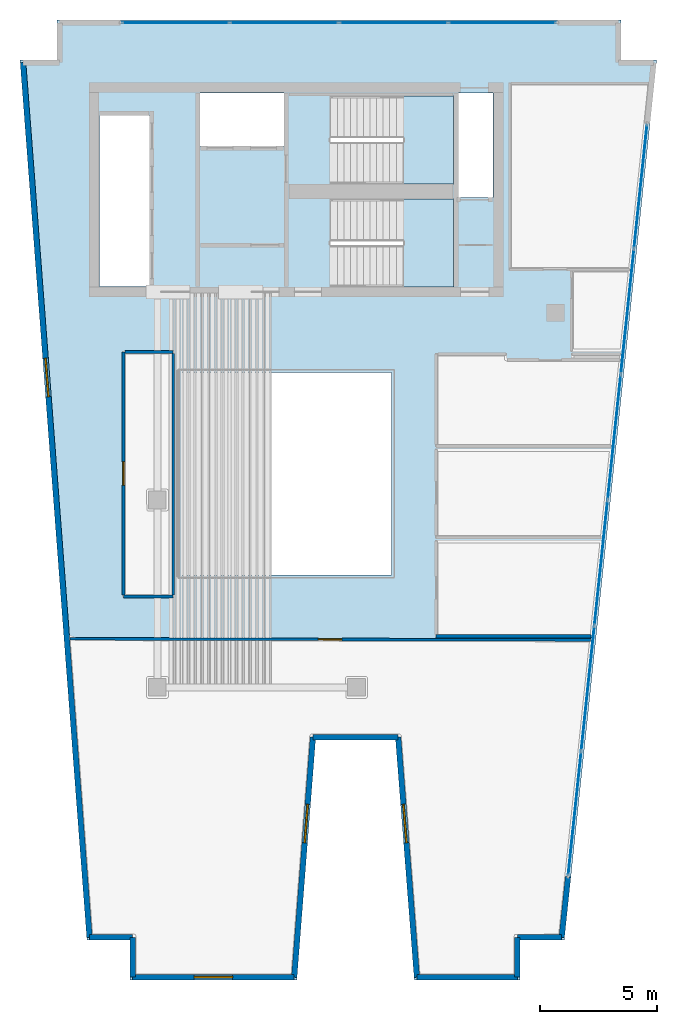
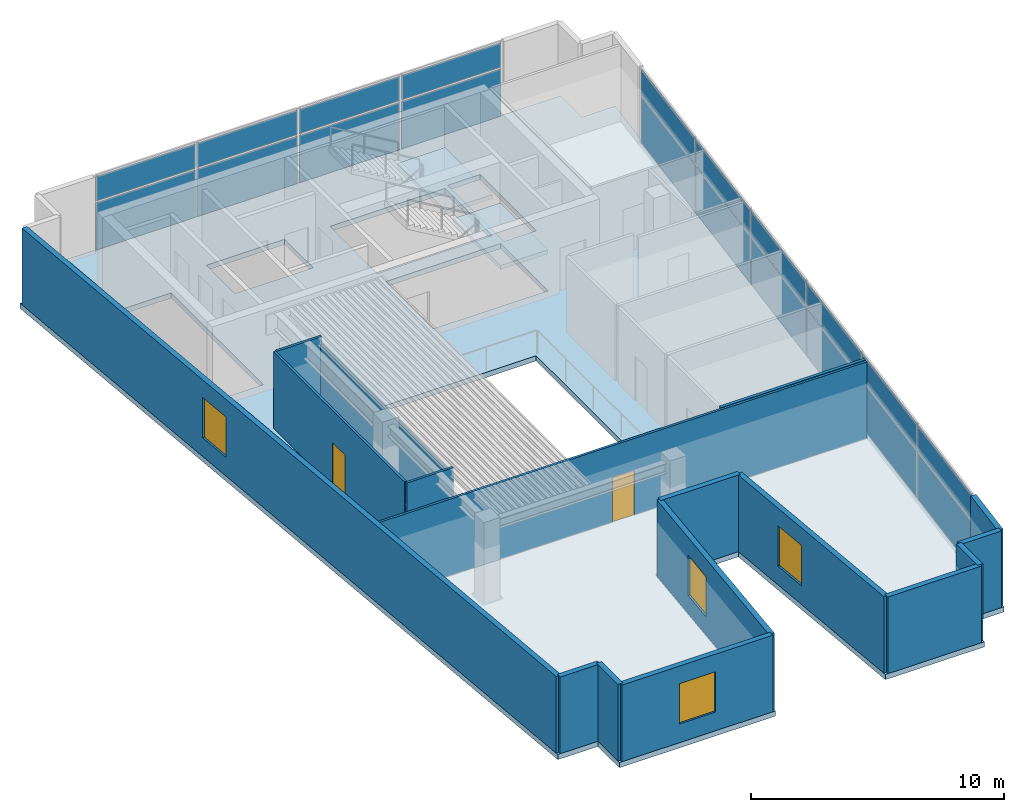
# One storey, part 2 of 6: 20 plates, 17 walls, 4 windows, 3 slabs, 2 doors, 6 openings, 4 elements without a shape of their own.
"""IFC4 building model written with IfcOpenShell, lengths in metres."""

from ifc_helpers import new_model, si_unit, direction, frame, frame_2d, origin, origin_2d, place, context, subcontext, project, spatial, polyline, rectangle, outline, extrude, material, layer, layer_set, type_object, element, fill, aggregate, save


model = new_model("IFC4")

# Units and contexts
model_context = context("Model", 3, precision=1e-05, world=origin(), true_north=direction((0.0, 1.0)))
body_context = subcontext(model_context, "Body", "Model", "MODEL_VIEW")
ifc_project = project(units=[si_unit("LENGTHUNIT", "METRE"), si_unit("AREAUNIT", "SQUARE_METRE"), si_unit("VOLUMEUNIT", "CUBIC_METRE"), si_unit("PLANEANGLEUNIT", "RADIAN"), si_unit("MASSUNIT", "GRAM", prefix="KILO")], contexts=[model_context])

# Site, building, storey
site_placement = place(None, origin())
site = spatial("IfcSite", under=ifc_project, at=site_placement, CompositionType="ELEMENT")
building_placement = place(site_placement, origin())
building = spatial("IfcBuilding", under=site, at=building_placement, Name="Caeloran Harvest Quay", CompositionType="ELEMENT")
storey_placement = place(building_placement, frame((0.0, 0.0, 296.199951171875)))
storey = spatial("IfcBuildingStorey", under=building, at=storey_placement, Name="L71", CompositionType="ELEMENT", Elevation=296.199951171875)

# Curtain wall, plates
ifc_material_1 = material(Name="Aluminium 6063-T6 and Low-E Glazing", Category="aluminium")
ifc_layer_1 = layer(ifc_material_1, 0.219970703125, Name="Aluminium 6063-T6 and Low-E Glazing")
ifc_layer_set_1 = layer_set([ifc_layer_1], Name="Aluminium 6063-T6 and Low-E Glazing")
curtain_wall_type = type_object("IfcCurtainWallType", Name="CW-SYS-CW-5", PredefinedType="USERDEFINED", material=ifc_layer_set_1)
curtain_wall_1_placement = place(storey_placement, origin())
curtain_wall_1 = element("IfcCurtainWall", 1, at=curtain_wall_1_placement, inside=storey, type_object=curtain_wall_type, Name="L71 Unitised Curtain Wall CW-5 Run 6", ObjectType="CURTAIN_WALL", PredefinedType="USERDEFINED")
ifc_material_2 = material(Name="Low-E Double Glazed Vision Glass Unit", Category="glass")
ifc_layer_2 = layer(ifc_material_2, 0.035888671875, Name="Low-E Double Glazed Vision Glass Unit")
ifc_layer_set_2 = layer_set([ifc_layer_2], Name="Low-E Double Glazed Vision Glass Unit")
plate_type = type_object("IfcPlateType", Name="CW-VISION-PANEL", PredefinedType="CURTAIN_PANEL", material=ifc_layer_set_2)
plate_1_placement = place(storey_placement, frame((9.2724609375, 43.3798828125, 0.080078125), z_axis=(0.0, 0.0, 1.0), x_axis=(1.0, 0.0, 0.0)))
plate_1 = element("IfcPlate", 2, at=plate_1_placement, type_object=plate_type, Name="CW-5 panel 1.1", PredefinedType="CURTAIN_PANEL", context=body_context, shape_type="SweptSolid", body=[
    extrude(rectangle(XDim=4.544921875, YDim=0.035888671875, at=origin_2d()), origin(), (0.0, 0.0, 1.0), 2.280029296875),
])
plate_2_placement = place(storey_placement, frame((9.2724609375, 43.3798828125, 2.43994140625), z_axis=(0.0, 0.0, 1.0), x_axis=(1.0, 0.0, 0.0)))
plate_2 = element("IfcPlate", 3, at=plate_2_placement, type_object=plate_type, Name="CW-5 panel 1.2", PredefinedType="CURTAIN_PANEL", context=body_context, shape_type="SweptSolid", body=[
    extrude(rectangle(XDim=4.544921875, YDim=0.035888671875, at=origin_2d()), origin(), (0.0, 0.0, 1.0), 1.179931640625),
])
plate_3_placement = place(storey_placement, frame((13.91748046875, 43.3798828125, 0.080078125), z_axis=(0.0, 0.0, 1.0), x_axis=(1.0, 0.0, 0.0)))
plate_3 = element("IfcPlate", 4, at=plate_3_placement, type_object=plate_type, Name="CW-5 panel 2.1", PredefinedType="CURTAIN_PANEL", context=body_context, shape_type="SweptSolid", body=[
    extrude(rectangle(XDim=4.5849609375, YDim=0.035888671875, at=origin_2d()), origin(), (0.0, 0.0, 1.0), 2.280029296875),
])
plate_4_placement = place(storey_placement, frame((13.91748046875, 43.3798828125, 2.43994140625), z_axis=(0.0, 0.0, 1.0), x_axis=(1.0, 0.0, 0.0)))
plate_4 = element("IfcPlate", 5, at=plate_4_placement, type_object=plate_type, Name="CW-5 panel 2.2", PredefinedType="CURTAIN_PANEL", context=body_context, shape_type="SweptSolid", body=[
    extrude(rectangle(XDim=4.5849609375, YDim=0.035888671875, at=origin_2d()), origin(), (0.0, 0.0, 1.0), 1.179931640625),
])
plate_5_placement = place(storey_placement, frame((18.58251953125, 43.3798828125, 0.080078125), z_axis=(0.0, 0.0, 1.0), x_axis=(1.0, 0.0, 0.0)))
plate_5 = element("IfcPlate", 6, at=plate_5_placement, type_object=plate_type, Name="CW-5 panel 3.1", PredefinedType="CURTAIN_PANEL", context=body_context, shape_type="SweptSolid", body=[
    extrude(rectangle(XDim=4.5849609375, YDim=0.035888671875, at=origin_2d()), origin(), (0.0, 0.0, 1.0), 2.280029296875),
])
plate_6_placement = place(storey_placement, frame((18.58251953125, 43.3798828125, 2.43994140625), z_axis=(0.0, 0.0, 1.0), x_axis=(1.0, 0.0, 0.0)))
plate_6 = element("IfcPlate", 7, at=plate_6_placement, type_object=plate_type, Name="CW-5 panel 3.2", PredefinedType="CURTAIN_PANEL", context=body_context, shape_type="SweptSolid", body=[
    extrude(rectangle(XDim=4.5849609375, YDim=0.035888671875, at=origin_2d()), origin(), (0.0, 0.0, 1.0), 1.179931640625),
])
plate_7_placement = place(storey_placement, frame((23.2275390625, 43.3798828125, 0.080078125), z_axis=(0.0, 0.0, 1.0), x_axis=(1.0, 0.0, 0.0)))
plate_7 = element("IfcPlate", 8, at=plate_7_placement, type_object=plate_type, Name="CW-5 panel 4.1", PredefinedType="CURTAIN_PANEL", context=body_context, shape_type="SweptSolid", body=[
    extrude(rectangle(XDim=4.544921875, YDim=0.035888671875, at=origin_2d()), origin(), (0.0, 0.0, 1.0), 2.280029296875),
])
plate_8_placement = place(storey_placement, frame((23.2275390625, 43.3798828125, 2.43994140625), z_axis=(0.0, 0.0, 1.0), x_axis=(1.0, 0.0, 0.0)))
plate_8 = element("IfcPlate", 9, at=plate_8_placement, type_object=plate_type, Name="CW-5 panel 4.2", PredefinedType="CURTAIN_PANEL", context=body_context, shape_type="SweptSolid", body=[
    extrude(rectangle(XDim=4.544921875, YDim=0.035888671875, at=origin_2d()), origin(), (0.0, 0.0, 1.0), 1.179931640625),
])
aggregate(curtain_wall_1, [plate_1, plate_2, plate_3, plate_4, plate_5, plate_6, plate_7, plate_8])

curtain_wall_2_placement = place(storey_placement, origin())
curtain_wall_2 = element("IfcCurtainWall", 10, at=curtain_wall_2_placement, inside=storey, type_object=curtain_wall_type, Name="L71 Unitised Curtain Wall CW-5 Run 9", ObjectType="CURTAIN_WALL", PredefinedType="USERDEFINED")
plate_9_placement = place(storey_placement, frame((29.132568359375, 36.391845703125, 0.080078125), z_axis=(0.0, 0.0, 1.0), x_axis=(-0.104460096251, -0.994529078655, 0.0)))
plate_9 = element("IfcPlate", 11, at=plate_9_placement, type_object=plate_type, Name="CW-5 panel 1.1", PredefinedType="CURTAIN_PANEL", context=body_context, shape_type="SweptSolid", body=[
    extrude(rectangle(XDim=5.274169921875, YDim=0.035888671875, at=origin_2d()), origin(), (0.0, 0.0, 1.0), 2.280029296875),
])
plate_10_placement = place(storey_placement, frame((29.132568359375, 36.391845703125, 2.43994140625), z_axis=(0.0, 0.0, 1.0), x_axis=(-0.104460096251, -0.994529078655, 0.0)))
plate_10 = element("IfcPlate", 12, at=plate_10_placement, type_object=plate_type, Name="CW-5 panel 1.2", PredefinedType="CURTAIN_PANEL", context=body_context, shape_type="SweptSolid", body=[
    extrude(rectangle(XDim=5.274169921875, YDim=0.035888671875, at=origin_2d()), origin(), (0.0, 0.0, 1.0), 1.179931640625),
])
plate_11_placement = place(storey_placement, frame((28.5712890625, 31.047119140625, 0.080078125), z_axis=(0.0, 0.0, 1.0), x_axis=(-0.104460096251, -0.994529078655, 0.0)))
plate_11 = element("IfcPlate", 13, at=plate_11_placement, type_object=plate_type, Name="CW-5 panel 2.1", PredefinedType="CURTAIN_PANEL", context=body_context, shape_type="SweptSolid", body=[
    extrude(rectangle(XDim=5.314208984375, YDim=0.035888671875, at=origin_2d()), origin(), (0.0, 0.0, 1.0), 2.280029296875),
])
plate_12_placement = place(storey_placement, frame((28.5712890625, 31.047119140625, 2.43994140625), z_axis=(0.0, 0.0, 1.0), x_axis=(-0.104460096251, -0.994529078655, 0.0)))
plate_12 = element("IfcPlate", 14, at=plate_12_placement, type_object=plate_type, Name="CW-5 panel 2.2", PredefinedType="CURTAIN_PANEL", context=body_context, shape_type="SweptSolid", body=[
    extrude(rectangle(XDim=5.314208984375, YDim=0.035888671875, at=origin_2d()), origin(), (0.0, 0.0, 1.0), 1.179931640625),
])
plate_13_placement = place(storey_placement, frame((28.0078125, 25.682373046875, 0.080078125), z_axis=(0.0, 0.0, 1.0), x_axis=(-0.104460096251, -0.994529078655, 0.0)))
plate_13 = element("IfcPlate", 15, at=plate_13_placement, type_object=plate_type, Name="CW-5 panel 3.1", PredefinedType="CURTAIN_PANEL", context=body_context, shape_type="SweptSolid", body=[
    extrude(rectangle(XDim=5.314208984375, YDim=0.035888671875, at=origin_2d()), origin(), (0.0, 0.0, 1.0), 2.280029296875),
])
plate_14_placement = place(storey_placement, frame((28.0078125, 25.682373046875, 2.43994140625), z_axis=(0.0, 0.0, 1.0), x_axis=(-0.104460096251, -0.994529078655, 0.0)))
plate_14 = element("IfcPlate", 16, at=plate_14_placement, type_object=plate_type, Name="CW-5 panel 3.2", PredefinedType="CURTAIN_PANEL", context=body_context, shape_type="SweptSolid", body=[
    extrude(rectangle(XDim=5.314208984375, YDim=0.035888671875, at=origin_2d()), origin(), (0.0, 0.0, 1.0), 1.179931640625),
])
plate_15_placement = place(storey_placement, frame((27.4443359375, 20.317626953125, 0.080078125), z_axis=(0.0, 0.0, 1.0), x_axis=(-0.104460096251, -0.994529078655, 0.0)))
plate_15 = element("IfcPlate", 17, at=plate_15_placement, type_object=plate_type, Name="CW-5 panel 4.1", PredefinedType="CURTAIN_PANEL", context=body_context, shape_type="SweptSolid", body=[
    extrude(rectangle(XDim=5.314208984375, YDim=0.035888671875, at=origin_2d()), origin(), (0.0, 0.0, 1.0), 2.280029296875),
])
plate_16_placement = place(storey_placement, frame((27.4443359375, 20.317626953125, 2.43994140625), z_axis=(0.0, 0.0, 1.0), x_axis=(-0.104460096251, -0.994529078655, 0.0)))
plate_16 = element("IfcPlate", 18, at=plate_16_placement, type_object=plate_type, Name="CW-5 panel 4.2", PredefinedType="CURTAIN_PANEL", context=body_context, shape_type="SweptSolid", body=[
    extrude(rectangle(XDim=5.314208984375, YDim=0.035888671875, at=origin_2d()), origin(), (0.0, 0.0, 1.0), 1.179931640625),
])
plate_17_placement = place(storey_placement, frame((26.880859375, 14.952880859375, 0.080078125), z_axis=(0.0, 0.0, 1.0), x_axis=(-0.104460096251, -0.994529078655, 0.0)))
plate_17 = element("IfcPlate", 19, at=plate_17_placement, type_object=plate_type, Name="CW-5 panel 5.1", PredefinedType="CURTAIN_PANEL", context=body_context, shape_type="SweptSolid", body=[
    extrude(rectangle(XDim=5.314208984375, YDim=0.035888671875, at=origin_2d()), origin(), (0.0, 0.0, 1.0), 2.280029296875),
])
plate_18_placement = place(storey_placement, frame((26.880859375, 14.952880859375, 2.43994140625), z_axis=(0.0, 0.0, 1.0), x_axis=(-0.104460096251, -0.994529078655, 0.0)))
plate_18 = element("IfcPlate", 20, at=plate_18_placement, type_object=plate_type, Name="CW-5 panel 5.2", PredefinedType="CURTAIN_PANEL", context=body_context, shape_type="SweptSolid", body=[
    extrude(rectangle(XDim=5.314208984375, YDim=0.035888671875, at=origin_2d()), origin(), (0.0, 0.0, 1.0), 1.179931640625),
])
plate_19_placement = place(storey_placement, frame((26.3193359375, 9.608154296875, 0.080078125), z_axis=(0.0, 0.0, 1.0), x_axis=(-0.104460096251, -0.994529078655, 0.0)))
plate_19 = element("IfcPlate", 21, at=plate_19_placement, type_object=plate_type, Name="CW-5 panel 6.1", PredefinedType="CURTAIN_PANEL", context=body_context, shape_type="SweptSolid", body=[
    extrude(rectangle(XDim=5.274169921875, YDim=0.035888671875, at=origin_2d()), origin(), (0.0, 0.0, 1.0), 2.280029296875),
])
plate_20_placement = place(storey_placement, frame((26.3193359375, 9.608154296875, 2.43994140625), z_axis=(0.0, 0.0, 1.0), x_axis=(-0.104460096251, -0.994529078655, 0.0)))
plate_20 = element("IfcPlate", 22, at=plate_20_placement, type_object=plate_type, Name="CW-5 panel 6.2", PredefinedType="CURTAIN_PANEL", context=body_context, shape_type="SweptSolid", body=[
    extrude(rectangle(XDim=5.274169921875, YDim=0.035888671875, at=origin_2d()), origin(), (0.0, 0.0, 1.0), 1.179931640625),
])
aggregate(curtain_wall_2, [plate_9, plate_10, plate_11, plate_12, plate_13, plate_14, plate_15, plate_16, plate_17, plate_18, plate_19, plate_20])

# Slab
ifc_material_3 = material(Name="Concrete C50/60", Category="concrete")
ifc_layer_3 = layer(ifc_material_3, 0.25, Name="Concrete C50/60")
ifc_layer_set_3 = layer_set([ifc_layer_3], Name="Concrete C50/60")
slab_type_1 = type_object("IfcSlabType", Name="SLAB-FS-250", PredefinedType="FLOOR", material=ifc_layer_set_3)
slab_1_placement = place(storey_placement, frame((0.0, 0.0, -0.25)))
element("IfcSlab", 23, at=slab_1_placement, inside=storey, type_object=slab_type_1, Name="L71 Structural Floor Slab", PredefinedType="FLOOR", context=body_context, shape_type="SweptSolid", body=[
    extrude(outline(polyline([(7.318603515625, 2.5), (14.451416015625, 2.5), (15.25146484375, 12.75), (18.670166015625, 12.75), (19.47021484375, 2.5), (23.993408203125, 2.5), (23.993408203125, 4.199951171875), (25.8720703125, 4.199951171875), (29.8212890625, 41.800048828125), (28.300048828125, 41.800048828125), (28.300048828125, 43.5), (4.199951171875, 43.5), (4.199951171875, 41.800048828125), (2.62939453125, 41.800048828125), (5.4892578125, 4.199951171875), (7.318603515625, 4.199951171875), (7.318603515625, 2.5)]), holes=[polyline([(18.5, 28.449951171875), (18.5, 19.800048828125), (9.5, 19.800048828125), (9.5, 28.449951171875), (18.5, 28.449951171875)]), polyline([(15.89990234375, 32.10009765625), (15.89990234375, 35.85009765625), (21.14990234375, 35.85009765625), (21.14990234375, 32.10009765625), (15.89990234375, 32.10009765625)]), polyline([(8.159912109375, 32.1201171875), (6.02001953125, 32.1201171875), (6.02001953125, 39.419921875), (8.159912109375, 39.419921875), (8.159912109375, 32.1201171875)]), polyline([(22.830078125, 40.3798828125), (22.830078125, 35.919921875), (21.35009765625, 35.919921875), (21.35009765625, 40.3798828125), (22.830078125, 40.3798828125)]), polyline([(15.89990234375, 36.5), (15.89990234375, 40.25), (21.14990234375, 40.25), (21.14990234375, 36.5), (15.89990234375, 36.5)]), polyline([(13.89990234375, 38.1201171875), (10.320068359375, 38.1201171875), (10.320068359375, 40.3798828125), (13.89990234375, 40.3798828125), (13.89990234375, 38.1201171875)])]), origin(), (0.0, 0.0, 1.0), 0.25),
])

# Stair, slab
stair_type = type_object("IfcStairType", Name="STAIR-STC-180", PredefinedType="HALF_TURN_STAIR", material=ifc_material_3)
stair_1_placement = place(storey_placement, origin())
stair_1 = element("IfcStair", 24, at=stair_1_placement, inside=storey, type_object=stair_type, Name="L71 Core Pressurized Exit Stair ST-C1", PredefinedType="HALF_TURN_STAIR")
ifc_layer_4 = layer(ifc_material_3, 0.219970703125, Name="Concrete C50/60")
ifc_layer_set_4 = layer_set([ifc_layer_4], Name="Concrete C50/60")
slab_type_2 = type_object("IfcSlabType", Name="STAIR-LANDING-220", PredefinedType="LANDING", material=ifc_layer_set_4)
slab_2_placement = place(storey_placement, frame((0.0, 0.0, 1.775146484375)))
slab_2 = element("IfcSlab", 25, at=slab_2_placement, type_object=slab_type_2, Name="ST-C1 landing 1", PredefinedType="LANDING", context=body_context, shape_type="SweptSolid", body=[
    extrude(outline(polyline([(18.97998046875, 36.5), (21.14990234375, 36.5), (21.14990234375, 40.25), (18.97998046875, 40.25), (18.97998046875, 36.5)])), origin(), (0.0, 0.0, 1.0), 0.199951171875),
])
aggregate(stair_1, [slab_2])

stair_2_placement = place(storey_placement, origin())
stair_2 = element("IfcStair", 26, at=stair_2_placement, inside=storey, type_object=stair_type, Name="L71 Core Pressurized Exit Stair ST-C2", PredefinedType="HALF_TURN_STAIR")
slab_3_placement = place(storey_placement, frame((0.0, 0.0, 1.775146484375)))
slab_3 = element("IfcSlab", 27, at=slab_3_placement, type_object=slab_type_2, Name="ST-C2 landing 1", PredefinedType="LANDING", context=body_context, shape_type="SweptSolid", body=[
    extrude(outline(polyline([(18.97998046875, 32.10009765625), (21.14990234375, 32.10009765625), (21.14990234375, 35.85009765625), (18.97998046875, 35.85009765625), (18.97998046875, 32.10009765625)])), origin(), (0.0, 0.0, 1.0), 0.199951171875),
])
aggregate(stair_2, [slab_3])

# Walls
ifc_material_4 = material(Name="Precast concrete C50/60", Category="concrete")
ifc_layer_5 = layer(ifc_material_4, 0.239990234375, Name="Precast concrete C50/60")
ifc_layer_set_5 = layer_set([ifc_layer_5], Name="Precast concrete C50/60")
wall_type_1 = type_object("IfcWallType", Name="ENV-WALL-EW-240", PredefinedType="STANDARD", material=ifc_layer_set_5)
wall_1_placement = place(storey_placement, frame((7.4384765625, 2.6201171875, 0.0), z_axis=(0.0, 0.0, 1.0), x_axis=(0.0, 1.0, 0.0)))
element("IfcWall", 28, at=wall_1_placement, inside=storey, type_object=wall_type_1, Name="L71 Exterior Precast Concrete Facade Wall 1", PredefinedType="STANDARD", context=body_context, shape_type="SweptSolid", body=[
    extrude(rectangle(XDim=1.699951171875, YDim=0.239990234375, at=frame_2d((0.85009765625, 0.0))), origin(), (0.0, 0.0, 1.0), 3.699951171875),
])
wall_2_placement = place(storey_placement, frame((7.4384765625, 4.320068359375, 0.0), z_axis=(0.0, 0.0, 1.0), x_axis=(-1.0, 0.0, 0.0)))
element("IfcWall", 29, at=wall_2_placement, inside=storey, type_object=wall_type_1, Name="L71 Exterior Precast Concrete Facade Wall 2", PredefinedType="STANDARD", context=body_context, shape_type="SweptSolid", body=[
    extrude(rectangle(XDim=1.838134765625, YDim=0.239990234375, at=frame_2d((0.9189453125, 0.0))), origin(), (0.0, 0.0, 1.0), 3.699951171875),
])

# Wall, opening, window
wall_3_placement = place(storey_placement, frame((5.600341796875, 4.320068359375, 0.0), z_axis=(0.0, 0.0, 1.0), x_axis=(-0.075839920993, 0.997120006009, 0.0)))
wall_3 = element("IfcWall", 30, at=wall_3_placement, inside=storey, type_object=wall_type_1, Name="L71 Exterior Precast Concrete Facade Wall 3", PredefinedType="STANDARD", context=body_context, shape_type="SweptSolid", body=[
    extrude(rectangle(XDim=37.4677734375, YDim=0.239990234375, at=frame_2d((18.73388671875, 0.0))), origin(), (0.0, 0.0, 1.0), 3.699951171875),
])
opening_1_placement = place(wall_3_placement, frame((23.154052734375, 0.0, 0.89990234375)))
opening_1 = element("IfcOpeningElement", 31, at=opening_1_placement, cuts=wall_3, Name="Opening W-08", PredefinedType="OPENING", context=body_context, shape_type="SweptSolid", body=[
    extrude(rectangle(XDim=1.64990234375, YDim=1.949951171875, at=frame_2d((0.824951171875, 0.97509765625))), frame((0.0, 0.1298828125, 0.0), z_axis=(0.0, -1.0, 0.0), x_axis=(1.0, 0.0, 0.0)), (0.0, 0.0, 1.0), 0.260009765625),
])
ifc_material_5 = material(Name="Aluminium-Framed Low-E Laminated Glass", Category="aluminium")
window_type = type_object("IfcWindowType", Name="WIN-W-08", PartitioningType="SINGLE_PANEL", PredefinedType="WINDOW", material=ifc_material_5)
window_1_placement = place(opening_1_placement, origin())
window_1 = element("IfcWindow", 32, at=window_1_placement, inside=storey, type_object=window_type, Name="L71 Facade Punched Window W-08", OverallHeight=1.949951171875, OverallWidth=1.64990234375, PartitioningType="SINGLE_PANEL", PredefinedType="WINDOW", context=body_context, shape_type="SweptSolid", body=[
    extrude(rectangle(XDim=1.64990234375, YDim=1.949951171875, at=frame_2d((0.824951171875, 0.97509765625))), frame((0.0, 0.030029296875, 0.0), z_axis=(0.0, -1.0, 0.0), x_axis=(1.0, 0.0, 0.0)), (0.0, 0.0, 1.0), 0.06005859375),
])
fill(opening_1, window_1)

# Walls
wall_4_placement = place(storey_placement, frame((26.03564453125, 6.90576171875, 0.0), z_axis=(0.0, 0.0, 1.0), x_axis=(-0.104513699976, -0.994523446942, 0.0)))
element("IfcWall", 33, at=wall_4_placement, inside=storey, type_object=wall_type_1, Name="L71 Exterior Facade Corner Pier Wall 9B", PredefinedType="STANDARD", context=body_context, shape_type="SweptSolid", body=[
    extrude(rectangle(XDim=2.599853515625, YDim=0.239990234375, at=frame_2d((1.2998046875, 0.0))), origin(), (0.0, 0.0, 1.0), 3.699951171875),
])
wall_5_placement = place(storey_placement, frame((25.763916015625, 4.320068359375, 0.0), z_axis=(0.0, 0.0, 1.0), x_axis=(-1.0, 0.0, 0.0)))
element("IfcWall", 34, at=wall_5_placement, inside=storey, type_object=wall_type_1, Name="L71 Exterior Precast Concrete Facade Wall 10", PredefinedType="STANDARD", context=body_context, shape_type="SweptSolid", body=[
    extrude(rectangle(XDim=1.890380859375, YDim=0.239990234375, at=frame_2d((0.9453125, 0.0))), origin(), (0.0, 0.0, 1.0), 3.699951171875),
])
wall_6_placement = place(storey_placement, frame((23.87353515625, 4.320068359375, 0.0), z_axis=(0.0, 0.0, 1.0), x_axis=(0.0, -1.0, 0.0)))
element("IfcWall", 35, at=wall_6_placement, inside=storey, type_object=wall_type_1, Name="L71 Exterior Precast Concrete Facade Wall 11", PredefinedType="STANDARD", context=body_context, shape_type="SweptSolid", body=[
    extrude(rectangle(XDim=1.699951171875, YDim=0.239990234375, at=frame_2d((0.85009765625, 0.0))), origin(), (0.0, 0.0, 1.0), 3.699951171875),
])
wall_7_placement = place(storey_placement, frame((23.87353515625, 2.6201171875, 0.0), z_axis=(0.0, 0.0, 1.0), x_axis=(-1.0, 0.0, 0.0)))
element("IfcWall", 36, at=wall_7_placement, inside=storey, type_object=wall_type_1, Name="L71 Exterior Precast Concrete Facade Wall 12", PredefinedType="STANDARD", context=body_context, shape_type="SweptSolid", body=[
    extrude(rectangle(XDim=4.292236328125, YDim=0.239990234375, at=frame_2d((2.14599609375, 0.0))), origin(), (0.0, 0.0, 1.0), 3.699951171875),
])

# Wall, opening, window
wall_8_placement = place(storey_placement, frame((19.581298828125, 2.6201171875, 0.0), z_axis=(0.0, 0.0, 1.0), x_axis=(-0.077816860153, 0.996967670627, 0.0)))
wall_8 = element("IfcWall", 37, at=wall_8_placement, inside=storey, type_object=wall_type_1, Name="L71 Exterior Precast Concrete Facade Wall 13", PredefinedType="STANDARD", context=body_context, shape_type="SweptSolid", body=[
    extrude(rectangle(XDim=10.28125, YDim=0.239990234375, at=frame_2d((5.140625, 0.0))), origin(), (0.0, 0.0, 1.0), 3.699951171875),
])
opening_2_placement = place(wall_8_placement, frame((5.7548828125, 0.0, 0.89990234375)))
opening_2 = element("IfcOpeningElement", 38, at=opening_2_placement, cuts=wall_8, Name="Opening W-08", PredefinedType="OPENING", context=body_context, shape_type="SweptSolid", body=[
    extrude(rectangle(XDim=1.64990234375, YDim=1.949951171875, at=frame_2d((0.824951171875, 0.97509765625))), frame((0.0, 0.1298828125, 0.0), z_axis=(0.0, -1.0, 0.0), x_axis=(1.0, 0.0, 0.0)), (0.0, 0.0, 1.0), 0.260009765625),
])
window_2_placement = place(opening_2_placement, origin())
window_2 = element("IfcWindow", 39, at=window_2_placement, inside=storey, type_object=window_type, Name="L71 Facade Punched Window W-08", OverallHeight=1.949951171875, OverallWidth=1.64990234375, PartitioningType="SINGLE_PANEL", PredefinedType="WINDOW", context=body_context, shape_type="SweptSolid", body=[
    extrude(rectangle(XDim=1.64990234375, YDim=1.949951171875, at=frame_2d((0.824951171875, 0.97509765625))), frame((0.0, 0.030029296875, 0.0), z_axis=(0.0, -1.0, 0.0), x_axis=(1.0, 0.0, 0.0)), (0.0, 0.0, 1.0), 0.06005859375),
])
fill(opening_2, window_2)

# Wall
wall_9_placement = place(storey_placement, frame((18.78125, 12.8701171875, 0.0), z_axis=(0.0, 0.0, 1.0), x_axis=(-1.0, 0.0, 0.0)))
element("IfcWall", 40, at=wall_9_placement, inside=storey, type_object=wall_type_1, Name="L71 Exterior Precast Concrete Facade Wall 14", PredefinedType="STANDARD", context=body_context, shape_type="SweptSolid", body=[
    extrude(rectangle(XDim=3.640869140625, YDim=0.239990234375, at=frame_2d((1.8203125, 0.0))), origin(), (0.0, 0.0, 1.0), 3.699951171875),
])

# Wall, opening, window
wall_10_placement = place(storey_placement, frame((15.140380859375, 12.8701171875, 0.0), z_axis=(0.0, 0.0, 1.0), x_axis=(-0.077793257511, -0.996969512616, 0.0)))
wall_10 = element("IfcWall", 41, at=wall_10_placement, inside=storey, type_object=wall_type_1, Name="L71 Exterior Precast Concrete Facade Wall 15", PredefinedType="STANDARD", context=body_context, shape_type="SweptSolid", body=[
    extrude(rectangle(XDim=10.28125, YDim=0.239990234375, at=frame_2d((5.140625, 0.0))), origin(), (0.0, 0.0, 1.0), 3.699951171875),
])
opening_3_placement = place(wall_10_placement, frame((2.8759765625, 0.0, 0.89990234375)))
opening_3 = element("IfcOpeningElement", 42, at=opening_3_placement, cuts=wall_10, Name="Opening W-08", PredefinedType="OPENING", context=body_context, shape_type="SweptSolid", body=[
    extrude(rectangle(XDim=1.64990234375, YDim=1.949951171875, at=frame_2d((0.824951171875, 0.97509765625))), frame((0.0, 0.1298828125, 0.0), z_axis=(0.0, -1.0, 0.0), x_axis=(1.0, 0.0, 0.0)), (0.0, 0.0, 1.0), 0.260009765625),
])
window_3_placement = place(opening_3_placement, origin())
window_3 = element("IfcWindow", 43, at=window_3_placement, inside=storey, type_object=window_type, Name="L71 Facade Punched Window W-08", OverallHeight=1.949951171875, OverallWidth=1.64990234375, PartitioningType="SINGLE_PANEL", PredefinedType="WINDOW", context=body_context, shape_type="SweptSolid", body=[
    extrude(rectangle(XDim=1.64990234375, YDim=1.949951171875, at=frame_2d((0.824951171875, 0.97509765625))), frame((0.0, 0.030029296875, 0.0), z_axis=(0.0, -1.0, 0.0), x_axis=(1.0, 0.0, 0.0)), (0.0, 0.0, 1.0), 0.06005859375),
])
fill(opening_3, window_3)

wall_11_placement = place(storey_placement, frame((14.340576171875, 2.6201171875, 0.0), z_axis=(0.0, 0.0, 1.0), x_axis=(-1.0, 0.0, 0.0)))
wall_11 = element("IfcWall", 44, at=wall_11_placement, inside=storey, type_object=wall_type_1, Name="L71 Exterior Precast Concrete Facade Wall 16", PredefinedType="STANDARD", context=body_context, shape_type="SweptSolid", body=[
    extrude(rectangle(XDim=6.902099609375, YDim=0.239990234375, at=frame_2d((3.451171875, 0.0))), origin(), (0.0, 0.0, 1.0), 3.699951171875),
])
opening_4_placement = place(wall_11_placement, frame((2.6259765625, 0.0, 0.89990234375)))
opening_4 = element("IfcOpeningElement", 45, at=opening_4_placement, cuts=wall_11, Name="Opening W-08", PredefinedType="OPENING", context=body_context, shape_type="SweptSolid", body=[
    extrude(rectangle(XDim=1.64990234375, YDim=1.949951171875, at=frame_2d((0.824951171875, 0.97509765625))), frame((0.0, 0.1298828125, 0.0), z_axis=(0.0, -1.0, 0.0), x_axis=(1.0, 0.0, 0.0)), (0.0, 0.0, 1.0), 0.260009765625),
])
window_4_placement = place(opening_4_placement, origin())
window_4 = element("IfcWindow", 46, at=window_4_placement, inside=storey, type_object=window_type, Name="L71 Facade Punched Window W-08", OverallHeight=1.949951171875, OverallWidth=1.64990234375, PartitioningType="SINGLE_PANEL", PredefinedType="WINDOW", context=body_context, shape_type="SweptSolid", body=[
    extrude(rectangle(XDim=1.64990234375, YDim=1.949951171875, at=frame_2d((0.824951171875, 0.97509765625))), frame((0.0, 0.030029296875, 0.0), z_axis=(0.0, -1.0, 0.0), x_axis=(1.0, 0.0, 0.0)), (0.0, 0.0, 1.0), 0.06005859375),
])
fill(opening_4, window_4)

# Wall, opening, door
ifc_material_6 = material(Name="Single-Stud Acoustic Gypsum Office Partition", Category="gypsum")
ifc_layer_6 = layer(ifc_material_6, 0.112060546875, Name="Single-Stud Acoustic Gypsum Office Partition")
ifc_layer_set_6 = layer_set([ifc_layer_6], Name="Single-Stud Acoustic Gypsum Office Partition")
wall_type_2 = type_object("IfcWallType", Name="INT-WALL-PW-112", PredefinedType="PARTITIONING", material=ifc_layer_set_6)
wall_12_placement = place(storey_placement, frame((4.755859375, 17.070556640625, 0.0), z_axis=(0.0, 0.0, 1.0), x_axis=(0.999997417422, -0.00227269645, 0.0)))
wall_12 = element("IfcWall", 47, at=wall_12_placement, inside=storey, type_object=wall_type_2, Name="Global Agro-Holdings Conference Hall Partition Wall", PredefinedType="PARTITIONING", context=body_context, shape_type="SweptSolid", body=[
    extrude(rectangle(XDim=22.236572265625, YDim=0.112060546875, at=frame_2d((11.1181640625, 0.0))), origin(), (0.0, 0.0, 1.0), 3.699951171875),
])
opening_5_placement = place(wall_12_placement, frame((10.618408203125, 0.0, 0.0)))
opening_5 = element("IfcOpeningElement", 48, at=opening_5_placement, cuts=wall_12, Name="Opening ID-01", PredefinedType="OPENING", context=body_context, shape_type="SweptSolid", body=[
    extrude(rectangle(XDim=1.0, YDim=2.14990234375, at=frame_2d((0.5, 1.074951171875))), frame((0.0, 0.06591796875, 0.0), z_axis=(0.0, -1.0, 0.0), x_axis=(1.0, 0.0, 0.0)), (0.0, 0.0, 1.0), 0.132080078125),
])
ifc_material_7 = material(Name="FSC Solid-Core Ash Timber and Acoustic Seal", Category="wood")
door_type = type_object("IfcDoorType", Name="INTDOOR-ID-01", OperationType="NOTDEFINED", PredefinedType="DOOR", material=ifc_material_7)
door_1_placement = place(opening_5_placement, origin())
door_1 = element("IfcDoor", 49, at=door_1_placement, inside=storey, type_object=door_type, Name="Global Agro-Holdings Conference Hall Access Door", OperationType="SINGLE_SWING_LEFT", OverallHeight=2.14990234375, OverallWidth=1.0, PredefinedType="DOOR", context=body_context, shape_type="SweptSolid", body=[
    extrude(rectangle(XDim=1.0, YDim=2.14990234375, at=frame_2d((0.5, 1.074951171875))), frame((0.0, 0.02490234375, 0.0), z_axis=(0.0, -1.0, 0.0), x_axis=(1.0, 0.0, 0.0)), (0.0, 0.0, 1.0), 0.050048828125),
])
fill(opening_5, door_1)

# Wall
wall_13_placement = place(storey_placement, frame((9.169921875, 18.8798828125, 0.0), z_axis=(0.0, 0.0, 1.0), x_axis=(-1.0, 0.0, 0.0)))
element("IfcWall", 50, at=wall_13_placement, inside=storey, type_object=wall_type_2, Name="Treasury Risk Seminar Room Partition Wall", PredefinedType="PARTITIONING", context=body_context, shape_type="SweptSolid", body=[
    extrude(rectangle(XDim=2.119873046875, YDim=0.112060546875, at=frame_2d((1.06005859375, 0.0))), origin(), (0.0, 0.0, 1.0), 3.699951171875),
])

# Wall, opening, door
wall_14_placement = place(storey_placement, frame((7.050048828125, 18.94091796875, 0.0), z_axis=(0.0, 0.0, 1.0), x_axis=(0.0, 1.0, 0.0)))
wall_14 = element("IfcWall", 51, at=wall_14_placement, inside=storey, type_object=wall_type_2, Name="Treasury Risk Seminar Room Partition Wall", PredefinedType="PARTITIONING", context=body_context, shape_type="SweptSolid", body=[
    extrude(rectangle(XDim=10.379150390625, YDim=0.112060546875, at=frame_2d((5.189453125, 0.0))), origin(), (0.0, 0.0, 1.0), 3.699951171875),
])
opening_6_placement = place(wall_14_placement, frame((4.689453125, 0.0, 0.0)))
opening_6 = element("IfcOpeningElement", 52, at=opening_6_placement, cuts=wall_14, Name="Opening ID-01", PredefinedType="OPENING", context=body_context, shape_type="SweptSolid", body=[
    extrude(rectangle(XDim=1.0, YDim=2.14990234375, at=frame_2d((0.5, 1.074951171875))), frame((0.0, 0.06591796875, 0.0), z_axis=(0.0, -1.0, 0.0), x_axis=(1.0, 0.0, 0.0)), (0.0, 0.0, 1.0), 0.132080078125),
])
door_2_placement = place(opening_6_placement, origin())
door_2 = element("IfcDoor", 53, at=door_2_placement, inside=storey, type_object=door_type, Name="Treasury Risk Seminar Room Access Door", OperationType="SINGLE_SWING_RIGHT", OverallHeight=2.14990234375, OverallWidth=1.0, PredefinedType="DOOR", context=body_context, shape_type="SweptSolid", body=[
    extrude(rectangle(XDim=1.0, YDim=2.14990234375, at=frame_2d((0.5, 1.074951171875))), frame((0.0, 0.02490234375, 0.0), z_axis=(0.0, -1.0, 0.0), x_axis=(1.0, 0.0, 0.0)), (0.0, 0.0, 1.0), 0.050048828125),
])
fill(opening_6, door_2)

# Walls
wall_15_placement = place(storey_placement, frame((7.111083984375, 29.320068359375, 0.0), z_axis=(0.0, 0.0, 1.0), x_axis=(1.0, 0.0, 0.0)))
element("IfcWall", 54, at=wall_15_placement, inside=storey, type_object=wall_type_2, Name="Treasury Risk Seminar Room Partition Wall", PredefinedType="PARTITIONING", context=body_context, shape_type="SweptSolid", body=[
    extrude(rectangle(XDim=2.058837890625, YDim=0.112060546875, at=frame_2d((1.029296875, 0.0))), origin(), (0.0, 0.0, 1.0), 3.699951171875),
])
wall_16_placement = place(storey_placement, frame((9.169921875, 29.259033203125, 0.0), z_axis=(0.0, 0.0, 1.0), x_axis=(0.0, -1.0, 0.0)))
element("IfcWall", 55, at=wall_16_placement, inside=storey, type_object=wall_type_2, Name="Treasury Risk Seminar Room Partition Wall", PredefinedType="PARTITIONING", context=body_context, shape_type="SweptSolid", body=[
    extrude(rectangle(XDim=10.318115234375, YDim=0.112060546875, at=frame_2d((5.1591796875, 0.0))), origin(), (0.0, 0.0, 1.0), 3.324951171875),
])
ifc_material_8 = material(Name="Moisture-Resistant Cement-Board Sanitary Partition", Category="gypsum")
ifc_layer_7 = layer(ifc_material_8, 0.139892578125, Name="Moisture-Resistant Cement-Board Sanitary Partition")
ifc_layer_set_7 = layer_set([ifc_layer_7], Name="Moisture-Resistant Cement-Board Sanitary Partition")
wall_type_3 = type_object("IfcWallType", Name="INT-WALL-PW-140", PredefinedType="PARTITIONING", material=ifc_layer_set_7)
wall_17_placement = place(storey_placement, frame((27.00927734375, 17.179931640625, 0.0), z_axis=(0.0, 0.0, 1.0), x_axis=(-1.0, 0.0, 0.0)))
element("IfcWall", 56, at=wall_17_placement, inside=storey, type_object=wall_type_3, Name="L71 Accessible Unisex Washroom WC Partition Wall", PredefinedType="PARTITIONING", context=body_context, shape_type="SweptSolid", body=[
    extrude(rectangle(XDim=6.609375, YDim=0.139892578125, at=frame_2d((3.3046875, 0.0))), origin(), (0.0, 0.0, 1.0), 3.699951171875),
])

save(model, "model.ifc")
